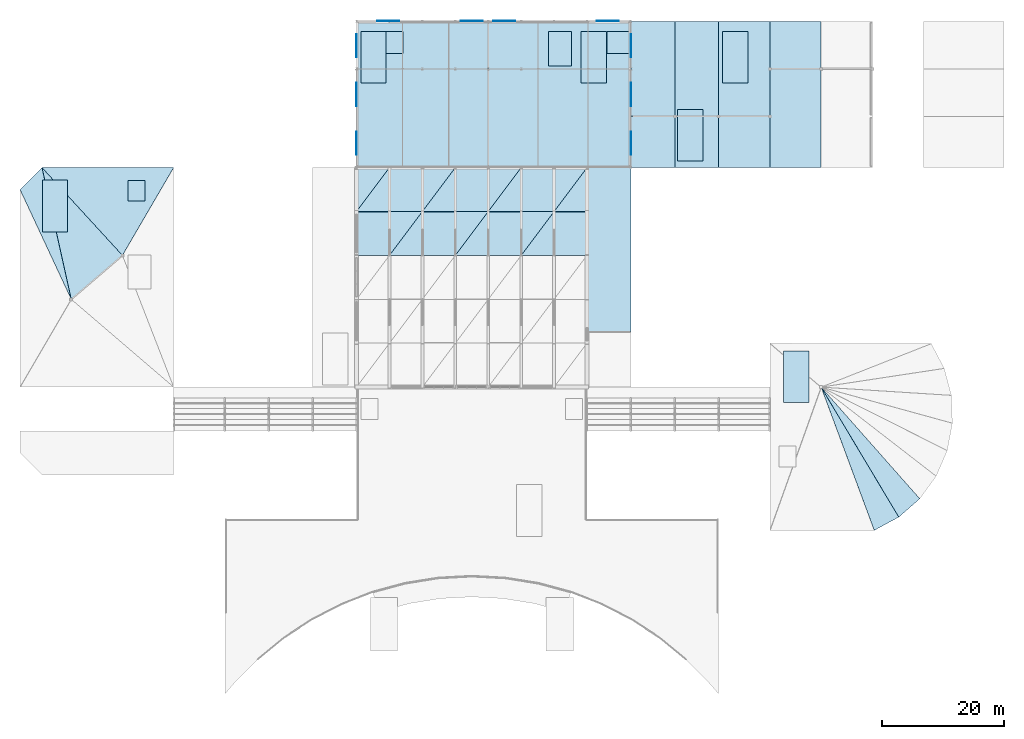
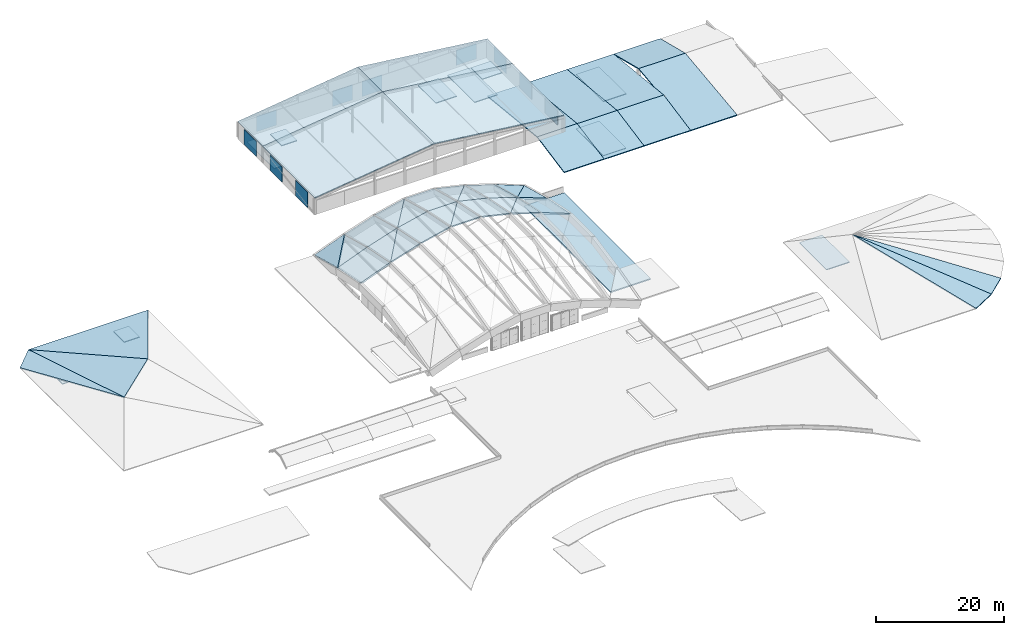
# One storey, part 10 of 27: 49 slabs, 10 plates, 4 elements without a shape of their own.
"""IFC4 building model written with IfcOpenShell, lengths in metres."""

from ifc_helpers import new_model, si_unit, direction, frame, origin, origin_2d, place, context, subcontext, project, spatial, polyline, rectangle, outline, extrude, material, layer, layer_set, type_object, element, aggregate, save


model = new_model("IFC4")

# Units and contexts
model_context = context("Model", 3, precision=1e-05, world=origin(), true_north=direction((0.0, 1.0)))
body_context = subcontext(model_context, "Body", "Model", "MODEL_VIEW")
ifc_project = project(units=[si_unit("LENGTHUNIT", "METRE"), si_unit("AREAUNIT", "SQUARE_METRE"), si_unit("VOLUMEUNIT", "CUBIC_METRE"), si_unit("PLANEANGLEUNIT", "RADIAN"), si_unit("MASSUNIT", "GRAM", prefix="KILO")], contexts=[model_context])

# Site, building, storey
site_placement = place(None, origin())
site = spatial("IfcSite", under=ifc_project, at=site_placement, CompositionType="ELEMENT")
building_placement = place(site_placement, origin())
building = spatial("IfcBuilding", under=site, at=building_placement, Name="Tazoul Stagehouse", CompositionType="ELEMENT")
storey_placement = place(building_placement, frame((0.0, 0.0, 24.89990234375)))
storey = spatial("IfcBuildingStorey", under=building, at=storey_placement, Name="RF", CompositionType="ELEMENT", Elevation=24.89990234375)

# Slab
ifc_material_1 = material(Name="Concrete C35/45", Category="concrete")
ifc_layer_1 = layer(ifc_material_1, 0.239990234375, Name="Concrete C35/45")
ifc_layer_set_1 = layer_set([ifc_layer_1], Name="Concrete C35/45")
slab_type_1 = type_object("IfcSlabType", Name="Flat Acoustic Wing Roof Slab 240", PredefinedType="ROOF", material=ifc_layer_set_1)
slab_1_placement = place(storey_placement, frame((0.0, 0.0, -11.93994140625)))
element("IfcSlab", 1, at=slab_1_placement, inside=storey, type_object=slab_type_1, Name="V1 NE Upper Circle Side Gallery Roof Slab RS-01", PredefinedType="ROOF", context=body_context, shape_type="SweptSolid", body=[
    extrude(outline(polyline([(95.39990234375, 60.800048828125), (102.60009765625, 60.800048828125), (102.60009765625, 87.800048828125), (95.39990234375, 87.800048828125), (95.39990234375, 60.800048828125)])), origin(), (0.0, 0.0, 1.0), 0.239990234375),
])

# Plates
ifc_material_2 = material(Name="Anodised Bronze Aluminium 6063-T6", Category="aluminium")
ifc_layer_2 = layer(ifc_material_2, 0.080078125, Name="Anodised Bronze Aluminium 6063-T6")
ifc_layer_set_2 = layer_set([ifc_layer_2], Name="Anodised Bronze Aluminium 6063-T6")
plate_type = type_object("IfcPlateType", Name="Fly-Tower Acoustic Metal Cladding Cassette 80", PredefinedType="USERDEFINED", material=ifc_layer_set_2)
for number, where, z_axis, x_axis, name in (
    (2, (57.580078125, 91.800048828125, -0.044921875), (0.0, 0.0, 1.0), (0.0, 1.0, 0.0), "RF Fly-Tower Metal Cladding Panel MTL-01 W1"),
    (3, (102.6201171875, 91.800048828125, -0.044921875), (0.0, 0.0, 1.0), (0.0, 1.0, 0.0), "RF Fly-Tower Metal Cladding Panel MTL-01 E1"),
    (4, (57.580078125, 99.800048828125, -0.044921875), (0.0, 0.0, 1.0), (0.0, 1.0, 0.0), "RF Fly-Tower Metal Cladding Panel MTL-01 W2"),
    (5, (102.6201171875, 99.800048828125, -0.044921875), (0.0, 0.0, 1.0), (0.0, 1.0, 0.0), "RF Fly-Tower Metal Cladding Panel MTL-01 E2"),
    (6, (57.580078125, 107.800048828125, -0.044921875), (0.0, 0.0, 1.0), (0.0, 1.0, 0.0), "RF Fly-Tower Metal Cladding Panel MTL-01 W3"),
    (7, (102.6201171875, 107.800048828125, -0.044921875), (0.0, 0.0, 1.0), (0.0, 1.0, 0.0), "RF Fly-Tower Metal Cladding Panel MTL-01 E3"),
):
    element("IfcPlate", number, at=place(storey_placement, frame(where, z_axis=z_axis, x_axis=x_axis)), inside=storey, type_object=plate_type, Name=name, ObjectType="CLADDING PANEL", PredefinedType="USERDEFINED", context=body_context, shape_type="SweptSolid", body=[
        extrude(rectangle(XDim=3.800048828125, YDim=0.080078125, at=origin_2d()), origin(), (0.0, 0.0, 1.0), 2.89990234375),
    ])
for number, where, z_axis, x_axis, name in (
    (8, (62.800048828125, 111.820068359375, -0.044921875), (0.0, 0.0, 1.0), (1.0, 0.0, 0.0), "RF Fly-Tower Metal Cladding Panel MTL-01 N1"),
    (9, (76.5, 111.820068359375, -0.044921875), (0.0, 0.0, 1.0), (1.0, 0.0, 0.0), "RF Fly-Tower Metal Cladding Panel MTL-01 N2"),
    (10, (81.800048828125, 111.820068359375, -0.044921875), (0.0, 0.0, 1.0), (1.0, 0.0, 0.0), "RF Fly-Tower Metal Cladding Panel MTL-01 N3"),
    (11, (98.800048828125, 111.820068359375, -0.044921875), (0.0, 0.0, 1.0), (1.0, 0.0, 0.0), "RF Fly-Tower Metal Cladding Panel MTL-01 N4"),
):
    element("IfcPlate", number, at=place(storey_placement, frame(where, z_axis=z_axis, x_axis=x_axis)), inside=storey, type_object=plate_type, Name=name, ObjectType="CLADDING PANEL", PredefinedType="USERDEFINED", context=body_context, shape_type="SweptSolid", body=[
        extrude(rectangle(XDim=3.60009765625, YDim=0.080078125, at=origin_2d()), origin(), (0.0, 0.0, 1.0), 2.89990234375),
    ])

# Slabs
ifc_layer_3 = layer(ifc_material_1, 0.169921875, Name="Concrete C35/45")
ifc_layer_set_3 = layer_set([ifc_layer_3], Name="Concrete C35/45")
slab_type_2 = type_object("IfcSlabType", Name="Fly-Tower Pitched Roof Deck 170", PredefinedType="ROOF", material=ifc_layer_set_3)
slab_2_placement = place(storey_placement, frame((57.60009765625, 87.800048828125, 3.10009765625), z_axis=(-0.128557090821, 0.0, 0.991702109708), x_axis=(0.991702109708, 0.0, 0.128557090821)))
element("IfcSlab", 12, at=slab_2_placement, inside=storey, type_object=slab_type_2, Name="Fly-Tower Sculpted Pitched Roof Slab RS-03 W1", PredefinedType="ROOF", context=body_context, shape_type="SweptSolid", body=[
    extrude(outline(polyline([(0.0, 0.0), (21.780586432333312, 0.0), (21.780586432333312, 16.199951171875), (0.0, 16.199951171875), (0.0, 0.0)])), origin(), (0.0, 0.0, -1.0), 0.169921875),
])
slab_3_placement = place(storey_placement, frame((57.60009765625, 104.0, 3.10009765625), z_axis=(-0.128557090821, 0.0, 0.991702109708), x_axis=(0.991702109708, 0.0, 0.128557090821)))
element("IfcSlab", 13, at=slab_3_placement, inside=storey, type_object=slab_type_2, Name="Fly-Tower Sculpted Pitched Roof Slab RS-03 W2", PredefinedType="ROOF", context=body_context, shape_type="SweptSolid", body=[
    extrude(outline(polyline([(0.0, 0.0), (21.780586432333312, 0.0), (21.780586432333312, 7.800048828125), (0.0, 7.800048828125), (0.0, 0.0)])), origin(), (0.0, 0.0, -1.0), 0.169921875),
])
slab_4_placement = place(storey_placement, frame((79.199951171875, 87.800048828125, 5.900146484375), z_axis=(0.118811883264, 0.0, 0.992916782211), x_axis=(0.992916782211, 0.0, -0.118811883264)))
element("IfcSlab", 14, at=slab_4_placement, inside=storey, type_object=slab_type_2, Name="Fly-Tower Sculpted Pitched Roof Slab RS-03 E1", PredefinedType="ROOF", context=body_context, shape_type="SweptSolid", body=[
    extrude(outline(polyline([(0.0, 0.0), (23.56707722502075, 0.0), (23.56707722502075, 16.199951171875), (0.0, 16.199951171875), (0.0, 0.0)])), origin(), (0.0, 0.0, -1.0), 0.169921875),
])
slab_5_placement = place(storey_placement, frame((79.199951171875, 104.0, 5.900146484375), z_axis=(0.118811883264, 0.0, 0.992916782211), x_axis=(0.992916782211, 0.0, -0.118811883264)))
element("IfcSlab", 15, at=slab_5_placement, inside=storey, type_object=slab_type_2, Name="Fly-Tower Sculpted Pitched Roof Slab RS-03 E2", PredefinedType="ROOF", context=body_context, shape_type="SweptSolid", body=[
    extrude(outline(polyline([(0.0, 0.0), (23.56707722502075, 0.0), (23.56707722502075, 7.800048828125), (0.0, 7.800048828125), (0.0, 0.0)])), origin(), (0.0, 0.0, -1.0), 0.169921875),
])
ifc_layer_4 = layer(ifc_material_1, 0.14990234375, Name="Concrete C35/45")
ifc_layer_set_4 = layer_set([ifc_layer_4], Name="Concrete C35/45")
slab_type_3 = type_object("IfcSlabType", Name="Lift Overrun Cap Slab 150", PredefinedType="ROOF", material=ifc_layer_set_4)
slab_6_placement = place(storey_placement, frame((0.0, 0.0, -0.14990234375)))
element("IfcSlab", 16, at=slab_6_placement, inside=storey, type_object=slab_type_3, Name="Core Stair Overrun Cap RS-05 (ST-01)", PredefinedType="ROOF", context=body_context, shape_type="SweptSolid", body=[
    extrude(outline(polyline([(94.449951171875, 101.64990234375), (98.60009765625, 101.64990234375), (98.60009765625, 110.14990234375), (94.449951171875, 110.14990234375), (94.449951171875, 101.64990234375)])), origin(), (0.0, 0.0, 1.0), 0.14990234375),
])
slab_7_placement = place(storey_placement, frame((0.0, 0.0, -0.14990234375)))
element("IfcSlab", 17, at=slab_7_placement, inside=storey, type_object=slab_type_3, Name="Lift Overrun Roof Cap RS-05 (FFL-01)", PredefinedType="ROOF", context=body_context, shape_type="SweptSolid", body=[
    extrude(outline(polyline([(98.64990234375, 106.5), (102.25, 106.5), (102.25, 110.10009765625), (98.64990234375, 110.10009765625), (98.64990234375, 106.5)])), origin(), (0.0, 0.0, 1.0), 0.14990234375),
])
slab_8_placement = place(storey_placement, frame((0.0, 0.0, -8.099853515625)))
element("IfcSlab", 18, at=slab_8_placement, inside=storey, type_object=slab_type_3, Name="Core Stair Overrun Cap RS-05 (ST-02)", PredefinedType="ROOF", context=body_context, shape_type="SweptSolid", body=[
    extrude(outline(polyline([(117.64990234375, 101.64990234375), (121.800048828125, 101.64990234375), (121.800048828125, 110.14990234375), (117.64990234375, 110.14990234375), (117.64990234375, 101.64990234375)])), origin(), (0.0, 0.0, 1.0), 0.14990234375),
])
slab_9_placement = place(storey_placement, frame((0.0, 0.0, -0.14990234375)))
element("IfcSlab", 19, at=slab_9_placement, inside=storey, type_object=slab_type_3, Name="Core Stair Overrun Cap RS-05 (ST-03)", PredefinedType="ROOF", context=body_context, shape_type="SweptSolid", body=[
    extrude(outline(polyline([(58.300048828125, 101.64990234375), (62.449951171875, 101.64990234375), (62.449951171875, 110.14990234375), (58.300048828125, 110.14990234375), (58.300048828125, 101.64990234375)])), origin(), (0.0, 0.0, 1.0), 0.14990234375),
])
slab_10_placement = place(storey_placement, frame((0.0, 0.0, -0.14990234375)))
element("IfcSlab", 20, at=slab_10_placement, inside=storey, type_object=slab_type_3, Name="Lift Overrun Roof Cap RS-05 (FFL-02)", PredefinedType="ROOF", context=body_context, shape_type="SweptSolid", body=[
    extrude(outline(polyline([(62.449951171875, 106.5), (65.25, 106.5), (65.25, 110.10009765625), (62.449951171875, 110.10009765625), (62.449951171875, 106.5)])), origin(), (0.0, 0.0, 1.0), 0.14990234375),
])
slab_11_placement = place(storey_placement, frame((0.0, 0.0, -8.099853515625)))
element("IfcSlab", 21, at=slab_11_placement, inside=storey, type_object=slab_type_3, Name="Core Stair Overrun Cap RS-05 (ST-04)", PredefinedType="ROOF", context=body_context, shape_type="SweptSolid", body=[
    extrude(outline(polyline([(110.25, 88.85009765625), (114.39990234375, 88.85009765625), (114.39990234375, 97.35009765625), (110.25, 97.35009765625), (110.25, 88.85009765625)])), origin(), (0.0, 0.0, 1.0), 0.14990234375),
])
slab_12_placement = place(storey_placement, frame((0.0, 0.0, -8.099853515625)))
element("IfcSlab", 22, at=slab_12_placement, inside=storey, type_object=slab_type_3, Name="Core Stair Overrun Cap RS-05 (ST-06)", PredefinedType="ROOF", context=body_context, shape_type="SweptSolid", body=[
    extrude(outline(polyline([(6.050048828125, 77.25), (10.199951171875, 77.25), (10.199951171875, 85.75), (6.050048828125, 85.75), (6.050048828125, 77.25)])), origin(), (0.0, 0.0, 1.0), 0.14990234375),
])
slab_13_placement = place(storey_placement, frame((0.0, 0.0, -8.099853515625)))
element("IfcSlab", 23, at=slab_13_placement, inside=storey, type_object=slab_type_3, Name="Lift Overrun Roof Cap RS-05 (PL-03)", PredefinedType="ROOF", context=body_context, shape_type="SweptSolid", body=[
    extrude(outline(polyline([(20.10009765625, 82.300048828125), (22.89990234375, 82.300048828125), (22.89990234375, 85.699951171875), (20.10009765625, 85.699951171875), (20.10009765625, 82.300048828125)])), origin(), (0.0, 0.0, 1.0), 0.14990234375),
])
slab_14_placement = place(storey_placement, frame((0.0, 0.0, -11.89990234375)))
element("IfcSlab", 24, at=slab_14_placement, inside=storey, type_object=slab_type_3, Name="Core Stair Overrun Cap RS-05 (ST-07)", PredefinedType="ROOF", context=body_context, shape_type="SweptSolid", body=[
    extrude(outline(polyline([(127.64990234375, 49.25), (131.800048828125, 49.25), (131.800048828125, 57.75), (127.64990234375, 57.75), (127.64990234375, 49.25)])), origin(), (0.0, 0.0, 1.0), 0.14990234375),
])
slab_15_placement = place(storey_placement, frame((0.0, 0.0, -0.14990234375)))
element("IfcSlab", 25, at=slab_15_placement, inside=storey, type_object=slab_type_3, Name="Lift Overrun Roof Cap RS-05 (GL-01)", PredefinedType="ROOF", context=body_context, shape_type="SweptSolid", body=[
    extrude(outline(polyline([(89.10009765625, 104.5), (92.89990234375, 104.5), (92.89990234375, 110.10009765625), (89.10009765625, 110.10009765625), (89.10009765625, 104.5)])), origin(), (0.0, 0.0, 1.0), 0.14990234375),
])

# Roof, slabs
ifc_material_3 = material(Name="Concrete C40/50", Category="concrete")
roof_type_1 = type_object("IfcRoofType", Name="Main Auditorium Barrel-Toroidal Roof", PredefinedType="BARREL_ROOF", material=ifc_material_3)
roof_1_placement = place(storey_placement, origin())
roof_1 = element("IfcRoof", 26, at=roof_1_placement, inside=storey, type_object=roof_type_1, Name="V1 Seven-Bay Doubly Curved Concrete Shell Roof", PredefinedType="BARREL_ROOF")
ifc_layer_5 = layer(ifc_material_3, 0.2900390625, Name="Concrete C40/50")
ifc_layer_set_5 = layer_set([ifc_layer_5], Name="Concrete C40/50")
slab_type_4 = type_object("IfcSlabType", Name="Shell Perimeter Thickened Band 290", PredefinedType="ROOF", material=ifc_layer_set_5)
slab_16_placement = place(storey_placement, frame((57.60009765625, 73.39990234375, -4.41259765625), z_axis=(-0.353873049028, 0.186520786007, 0.916506334708), x_axis=(0.932877386196, 0.0, 0.360194089796)))
slab_16 = element("IfcSlab", 27, at=slab_16_placement, type_object=slab_type_4, Name="Shell Roof Strip SH-02 Bay 1.4", PredefinedType="ROOF", context=body_context, shape_type="SweptSolid", body=[
    extrude(outline(polyline([(0.0, 0.0), (5.788437391294616, -5.551115123125783e-17), (5.260633454049218, 7.328808464121742), (-0.5278039372453981, 7.328808464121742), (0.0, 0.0)])), origin(), (0.0, 0.0, -1.0), 0.2900390625),
])
slab_17_placement = place(storey_placement, frame((57.60009765625, 80.60009765625, -5.8779296875), z_axis=(-0.349520702805, 0.241633127057, 0.905234063775), x_axis=(0.932877386196, 0.0, 0.360194089796)))
slab_17 = element("IfcSlab", 28, at=slab_17_placement, type_object=slab_type_4, Name="Shell Roof Diagrid Facet SH-02 Bay 1.5A", PredefinedType="ROOF", context=body_context, shape_type="SweptSolid", body=[
    extrude(outline(polyline([(0.0, 0.0), (5.788437391294616, 0.0), (5.096189374967429, 7.419817590540906), (0.0, 0.0)])), origin(), (0.0, 0.0, -1.0), 0.2900390625),
])
slab_18_placement = place(storey_placement, frame((57.60009765625, 80.60009765625, -5.8779296875), z_axis=(-0.349520702805, 0.241633127057, 0.905234063775), x_axis=(0.599897175002, 0.799871940862, 0.018117881947)))
slab_18 = element("IfcSlab", 29, at=slab_18_placement, type_object=slab_type_4, Name="Shell Roof Diagrid Facet SH-02 Bay 1.5B", PredefinedType="ROOF", context=body_context, shape_type="SweptSolid", body=[
    extrude(outline(polyline([(0.0, 0.0), (9.001379851024573, 3.3306690738754696e-16), (5.724218613592503, 4.77139619574924), (0.0, 0.0)])), origin(), (0.0, 0.0, -1.0), 0.2900390625),
])
slab_19_placement = place(storey_placement, frame((63.0, 80.60009765625, -3.79296875), z_axis=(-0.29643458644, 0.246322029177, 0.922741563984), x_axis=(0.952076539137, -4.89189e-06, 0.30585987576)))
slab_19 = element("IfcSlab", 30, at=slab_19_placement, type_object=slab_type_4, Name="Shell Roof Strip SH-02 Bay 2.5", PredefinedType="ROOF", context=body_context, shape_type="SweptSolid", body=[
    extrude(outline(polyline([(0.0, 0.0), (5.67174540278199, 0.0), (5.083811059866162, 7.428874212414266), (-0.5878596700945968, 7.428816957537575), (0.0, 0.0)])), origin(), (0.0, 0.0, -1.0), 0.2900390625),
])
slab_20_placement = place(storey_placement, frame((68.39990234375, 80.60009765625, -2.05810546875), z_axis=(-0.21979333003, 0.251622464711, 0.942537546906), x_axis=(0.973871404196, 0.0, 0.227100171927)))
slab_20 = element("IfcSlab", 31, at=slab_20_placement, type_object=slab_type_4, Name="Shell Roof Diagrid Facet SH-02 Bay 3.5A", PredefinedType="ROOF", context=body_context, shape_type="SweptSolid", body=[
    extrude(outline(polyline([(0.0, 0.0), (5.5450303408718815, 5.551115123125783e-17), (5.10851675357261, 7.439307411059465), (0.0, 0.0)])), origin(), (0.0, 0.0, -1.0), 0.2900390625),
])
slab_21_placement = place(storey_placement, frame((68.39990234375, 80.60009765625, -2.05810546875), z_axis=(-0.21979333003, 0.251622464711, 0.942537546906), x_axis=(0.598392336682, 0.797829395592, -0.073449757859)))
slab_21 = element("IfcSlab", 32, at=slab_21_placement, type_object=slab_type_4, Name="Shell Roof Diagrid Facet SH-02 Bay 3.5B", PredefinedType="ROOF", context=body_context, shape_type="SweptSolid", body=[
    extrude(outline(polyline([(0.0, 0.0), (9.024424534438545, -9.43689570931383e-16), (5.885511877203409, 4.571059922101085), (0.0, 0.0)])), origin(), (0.0, 0.0, -1.0), 0.2900390625),
])
slab_22_placement = place(storey_placement, frame((73.800048828125, 80.60009765625, -0.798828125), z_axis=(0.0, 0.257929760905, 0.966163670627), x_axis=(1.0, 0.0, 0.0)))
slab_22 = element("IfcSlab", 33, at=slab_22_placement, type_object=slab_type_4, Name="Shell Roof Strip SH-02 Bay 4.5", PredefinedType="ROOF", context=body_context, shape_type="SweptSolid", body=[
    extrude(outline(polyline([(0.0, 0.0), (5.39990234375, 0.0), (5.39990234375, 7.4521029829264425), (0.0, 7.4521029829264425), (0.0, 0.0)])), origin(), (0.0, 0.0, -1.0), 0.2900390625),
])
slab_23_placement = place(storey_placement, frame((79.199951171875, 80.60009765625, -0.798828125), z_axis=(0.21979333003, 0.251622464711, 0.942537546906), x_axis=(0.973871404196, 0.0, -0.227100171927)))
slab_23 = element("IfcSlab", 34, at=slab_23_placement, type_object=slab_type_4, Name="Shell Roof Diagrid Facet SH-02 Bay 5.5A", PredefinedType="ROOF", context=body_context, shape_type="SweptSolid", body=[
    extrude(outline(polyline([(0.0, 0.0), (5.5450303408718815, -5.551115123125783e-17), (5.981543928171152, 7.439307411059465), (0.0, 0.0)])), origin(), (0.0, 0.0, -1.0), 0.2900390625),
])
slab_24_placement = place(storey_placement, frame((79.199951171875, 80.60009765625, -0.798828125), z_axis=(0.21979333003, 0.251622464711, 0.942537546906), x_axis=(0.565709577839, 0.754253861388, -0.333277341147)))
slab_24 = element("IfcSlab", 35, at=slab_24_placement, type_object=slab_type_4, Name="Shell Roof Diagrid Facet SH-02 Bay 5.5B", PredefinedType="ROOF", context=body_context, shape_type="SweptSolid", body=[
    extrude(outline(polyline([(0.0, 0.0), (9.545792922585608, 3.7470027081099033e-16), (6.071189729749632, 4.321399557264264), (0.0, 0.0)])), origin(), (0.0, 0.0, -1.0), 0.2900390625),
])
slab_25_placement = place(storey_placement, frame((84.60009765625, 80.60009765625, -2.05810546875), z_axis=(0.29643458644, 0.246322029177, 0.922741563984), x_axis=(0.952076539137, 4.89189e-06, -0.30585987576)))
slab_25 = element("IfcSlab", 36, at=slab_25_placement, type_object=slab_type_4, Name="Shell Roof Strip SH-02 Bay 6.5", PredefinedType="ROOF", context=body_context, shape_type="SweptSolid", body=[
    extrude(outline(polyline([(0.0, 0.0), (5.67174540278199, 0.0), (6.259605072876587, 7.428816957537574), (0.5879343429158275, 7.428874212414266), (0.0, 0.0)])), origin(), (0.0, 0.0, -1.0), 0.2900390625),
])
slab_26_placement = place(storey_placement, frame((90.0, 73.39990234375, -2.32763671875), z_axis=(0.353873049028, 0.186520786007, 0.916506334708), x_axis=(0.932877386196, 0.0, -0.360194089796)))
slab_26 = element("IfcSlab", 37, at=slab_26_placement, type_object=slab_type_4, Name="Shell Roof Strip SH-02 Bay 7.4", PredefinedType="ROOF", context=body_context, shape_type="SweptSolid", body=[
    extrude(outline(polyline([(0.0, 0.0), (5.788437391294616, 5.551115123125783e-17), (6.3162413285400145, 7.328808464121742), (0.5278039372453981, 7.328808464121742), (0.0, 0.0)])), origin(), (0.0, 0.0, -1.0), 0.2900390625),
])
slab_27_placement = place(storey_placement, frame((90.0, 80.60009765625, -3.79296875), z_axis=(0.349520702805, 0.241633127057, 0.905234063775), x_axis=(0.932877386196, 0.0, -0.360194089796)))
slab_27 = element("IfcSlab", 38, at=slab_27_placement, type_object=slab_type_4, Name="Shell Roof Diagrid Facet SH-02 Bay 7.5A", PredefinedType="ROOF", context=body_context, shape_type="SweptSolid", body=[
    extrude(outline(polyline([(0.0, 0.0), (5.788437391294616, 0.0), (6.480685407621802, 7.419817590540905), (0.0, 0.0)])), origin(), (0.0, 0.0, -1.0), 0.2900390625),
])
slab_28_placement = place(storey_placement, frame((90.0, 80.60009765625, -3.79296875), z_axis=(0.349520702805, 0.241633127057, 0.905234063775), x_axis=(0.548127354577, 0.730844733422, -0.406721500285)))
slab_28 = element("IfcSlab", 39, at=slab_28_placement, type_object=slab_type_4, Name="Shell Roof Diagrid Facet SH-02 Bay 7.5B", PredefinedType="ROOF", context=body_context, shape_type="SweptSolid", body=[
    extrude(outline(polyline([(0.0, 0.0), (9.851546905408433, -4.996003610813204e-16), (6.043714278219595, 4.359635089804397), (0.0, 0.0)])), origin(), (0.0, 0.0, -1.0), 0.2900390625),
])

roof_type_2 = type_object("IfcRoofType", Name="Swept Rehearsal Vault Roof", PredefinedType="BARREL_ROOF", material=ifc_material_3)
roof_2_placement = place(storey_placement, origin())
roof_2 = element("IfcRoof", 40, at=roof_2_placement, inside=storey, type_object=roof_type_2, Name="V3 Asymmetric Swept Rehearsal Acoustic Vaults", PredefinedType="BARREL_ROOF")
ifc_layer_6 = layer(ifc_material_3, 0.18994140625, Name="Concrete C40/50")
ifc_layer_set_6 = layer_set([ifc_layer_6], Name="Concrete C40/50")
slab_type_5 = type_object("IfcSlabType", Name="Sloped Studio Acoustic Roof 190", PredefinedType="ROOF", material=ifc_layer_set_6)
slab_29_placement = place(storey_placement, frame((102.60009765625, 87.800048828125, -7.7998046875), z_axis=(0.0, -0.192736477524, 0.981250554258), x_axis=(1.0, 0.0, 0.0)))
slab_29 = element("IfcSlab", 41, at=slab_29_placement, type_object=slab_type_5, Name="V3 Swept Rehearsal Vault Facet RS-02 VA.1.1", PredefinedType="ROOF", context=body_context, shape_type="SweptSolid", body=[
    extrude(outline(polyline([(0.0, 0.0), (7.199951171875, 0.0), (7.199951171875, 8.560405196510763), (0.0, 8.560405196510763), (0.0, 0.0)])), origin(), (0.0, 0.0, -1.0), 0.18994140625),
])
slab_30_placement = place(storey_placement, frame((102.60009765625, 96.199951171875, -6.14990234375), z_axis=(0.0, 0.105175714278, 0.994453653584), x_axis=(1.0, 0.0, 0.0)))
slab_30 = element("IfcSlab", 42, at=slab_30_placement, type_object=slab_type_5, Name="V3 Swept Rehearsal Vault Facet RS-02 VA.1.2", PredefinedType="ROOF", context=body_context, shape_type="SweptSolid", body=[
    extrude(outline(polyline([(0.0, 0.0), (7.199951171875, 0.0), (7.199951171875, 15.687103768014302), (0.0, 15.687103768014302), (0.0, 0.0)])), origin(), (0.0, 0.0, -1.0), 0.18994140625),
])
slab_31_placement = place(storey_placement, frame((109.800048828125, 87.800048828125, -7.7998046875), z_axis=(0.0, -0.192736477524, 0.981250554258), x_axis=(1.0, 0.0, 0.0)))
slab_31 = element("IfcSlab", 43, at=slab_31_placement, type_object=slab_type_5, Name="V3 Swept Rehearsal Vault Facet RS-02 VA.2.1", PredefinedType="ROOF", context=body_context, shape_type="SweptSolid", body=[
    extrude(outline(polyline([(0.0, 0.0), (7.199951171875, 0.0), (7.199951171875, 8.560405196510763), (0.0, 8.560405196510763), (0.0, 0.0)])), origin(), (0.0, 0.0, -1.0), 0.18994140625),
])
slab_32_placement = place(storey_placement, frame((109.800048828125, 96.199951171875, -6.14990234375), z_axis=(0.0, 0.105175714278, 0.994453653584), x_axis=(1.0, 0.0, 0.0)))
slab_32 = element("IfcSlab", 44, at=slab_32_placement, type_object=slab_type_5, Name="V3 Swept Rehearsal Vault Facet RS-02 VA.2.2", PredefinedType="ROOF", context=body_context, shape_type="SweptSolid", body=[
    extrude(outline(polyline([(0.0, 0.0), (7.199951171875, 0.0), (7.199951171875, 15.687103768014302), (0.0, 15.687103768014302), (0.0, 0.0)])), origin(), (0.0, 0.0, -1.0), 0.18994140625),
])
slab_33_placement = place(storey_placement, frame((117.0, 87.800048828125, -7.7998046875), z_axis=(0.0, -0.192736477524, 0.981250554258), x_axis=(1.0, 0.0, 0.0)))
slab_33 = element("IfcSlab", 45, at=slab_33_placement, type_object=slab_type_5, Name="V3 Swept Rehearsal Vault Facet RS-02 VA.3.1", PredefinedType="ROOF", context=body_context, shape_type="SweptSolid", body=[
    extrude(outline(polyline([(0.0, 0.0), (8.39990234375, 0.0), (8.39990234375, 8.560405196510763), (0.0, 8.560405196510763), (0.0, 0.0)])), origin(), (0.0, 0.0, -1.0), 0.18994140625),
])
slab_34_placement = place(storey_placement, frame((117.0, 96.199951171875, -6.14990234375), z_axis=(0.0, 0.105175714278, 0.994453653584), x_axis=(1.0, 0.0, 0.0)))
slab_34 = element("IfcSlab", 46, at=slab_34_placement, type_object=slab_type_5, Name="V3 Swept Rehearsal Vault Facet RS-02 VA.3.2", PredefinedType="ROOF", context=body_context, shape_type="SweptSolid", body=[
    extrude(outline(polyline([(0.0, 0.0), (8.39990234375, 0.0), (8.39990234375, 15.687103768014302), (0.0, 15.687103768014302), (0.0, 0.0)])), origin(), (0.0, 0.0, -1.0), 0.18994140625),
])
slab_35_placement = place(storey_placement, frame((125.39990234375, 87.800048828125, -7.7998046875), z_axis=(0.0, -0.119505114072, 0.992833585104), x_axis=(1.0, 0.0, 0.0)))
slab_35 = element("IfcSlab", 47, at=slab_35_placement, type_object=slab_type_5, Name="V3 Swept Rehearsal Vault Facet RS-02 VB.1.1", PredefinedType="ROOF", context=body_context, shape_type="SweptSolid", body=[
    extrude(outline(polyline([(0.0, 0.0), (8.400146484375, 0.0), (8.400146484375, 16.316884737713593), (0.0, 16.316884737713593), (0.0, 0.0)])), origin(), (0.0, 0.0, -1.0), 0.18994140625),
])
slab_36_placement = place(storey_placement, frame((125.39990234375, 104.0, -5.849853515625), z_axis=(0.0, 0.242528480229, 0.970144286319), x_axis=(1.0, 0.0, 0.0)))
slab_36 = element("IfcSlab", 48, at=slab_36_placement, type_object=slab_type_5, Name="V3 Swept Rehearsal Vault Facet RS-02 VB.1.2", PredefinedType="ROOF", context=body_context, shape_type="SweptSolid", body=[
    extrude(outline(polyline([(0.0, 0.0), (8.400146484375, 0.0), (8.400146484375, 8.040091497851929), (0.0, 8.040091497851929), (0.0, 0.0)])), origin(), (0.0, 0.0, -1.0), 0.18994140625),
])
aggregate(roof_2, [slab_29, slab_30, slab_31, slab_32, slab_33, slab_34, slab_35, slab_36])

roof_type_3 = type_object("IfcRoofType", Name="Conical Studio Drum Parametric Roof", PredefinedType="PAVILION_ROOF", material=ifc_material_3)
roof_3_placement = place(storey_placement, origin())
roof_3 = element("IfcRoof", 49, at=roof_3_placement, inside=storey, type_object=roof_type_3, Name="V4 Radially Fanned Conical Studio Roof", PredefinedType="PAVILION_ROOF")
slab_37_placement = place(storey_placement, frame((133.800048828125, 51.800048828125, -8.75), z_axis=(0.077483702617, -0.088737826902, 0.993036693131), x_axis=(0.657598398502, -0.744101275083, -0.117803390052)))
slab_37 = element("IfcSlab", 50, at=slab_37_placement, type_object=slab_type_5, Name="V4 Conical Studio Roof Facet RS-02 F08", PredefinedType="ROOF", context=body_context, shape_type="SweptSolid", body=[
    extrude(outline(polyline([(0.0, 0.0), (24.616459190759432, -4.2500725161431774e-16), (24.58934989331596, -4.5744529435414325), (0.0, 0.0)])), origin(), (0.0, 0.0, -1.0), 0.18994140625),
])
slab_38_placement = place(storey_placement, frame((133.800048828125, 51.800048828125, -8.75), z_axis=(0.05515143706, -0.102109123281, 0.993243195765), x_axis=(0.509448840339, -0.852654014149, -0.115944000413)))
slab_38 = element("IfcSlab", 51, at=slab_38_placement, type_object=slab_type_5, Name="V4 Conical Studio Roof Facet RS-02 F09", PredefinedType="ROOF", context=body_context, shape_type="SweptSolid", body=[
    extrude(outline(polyline([(0.0, 0.0), (25.011232434820005, -3.453834440669823e-15), (24.814357670495685, -4.570517997339966), (0.0, 0.0)])), origin(), (0.0, 0.0, -1.0), 0.18994140625),
])
aggregate(roof_3, [slab_37, slab_38])

roof_type_4 = type_object("IfcRoofType", Name="Folded Black-Box Diagrid Roof", PredefinedType="FREEFORM", material=ifc_material_3)
roof_4_placement = place(storey_placement, origin())
roof_4 = element("IfcRoof", 52, at=roof_4_placement, inside=storey, type_object=roof_type_4, Name="V6 Sculpted Folded Black-Box Diagrid Roof", PredefinedType="FREEFORM")
slab_39_placement = place(storey_placement, frame((19.199951171875, 73.39990234375, -5.449951171875), z_axis=(0.0, 0.1610524027, 0.986945856461), x_axis=(0.498941679552, 0.855322378732, -0.139573739811)))
slab_39 = element("IfcSlab", 53, at=slab_39_placement, type_object=slab_type_5, Name="V6 Folded Diagrid Roof Facet RS-02 F4", PredefinedType="ROOF", context=body_context, shape_type="SweptSolid", body=[
    extrude(outline(polyline([(0.0, 0.0), (16.835928583695956, 1.1102230246251565e-16), (6.0587395805888224, 18.719412809990686), (0.0, 0.0)])), origin(), (0.0, 0.0, -1.0), 0.18994140625),
])
slab_40_placement = place(storey_placement, frame((19.199951171875, 73.39990234375, -5.449951171875), z_axis=(-0.07776709803, 0.090727841539, 0.992834697839), x_axis=(-0.670883113618, 0.731882639883, -0.119430520809)))
slab_40 = element("IfcSlab", 54, at=slab_40_placement, type_object=slab_type_5, Name="V6 Folded Diagrid Roof Facet RS-02 F5", PredefinedType="ROOF", context=body_context, shape_type="SweptSolid", body=[
    extrude(outline(polyline([(0.0, 0.0), (19.675485794669395, -9.54097911787244e-16), (0.3658333677647265, 11.057297237975966), (0.0, 0.0)])), origin(), (0.0, 0.0, -1.0), 0.18994140625),
])
slab_41_placement = place(storey_placement, frame((10.800048828125, 66.199951171875, -5.449951171875), z_axis=(-0.088312194737, 0.088312194737, 0.992170304193), x_axis=(-0.215718588574, 0.97072816263, -0.105604568182)))
slab_41 = element("IfcSlab", 55, at=slab_41_placement, type_object=slab_type_5, Name="V6 Folded Diagrid Roof Facet RS-02 F6", PredefinedType="ROOF", context=body_context, shape_type="SweptSolid", body=[
    extrude(outline(polyline([(0.0, 0.0), (22.251438134574947, 5.551115123125783e-16), (19.53332993656864, 4.305031253429456), (0.0, 0.0)])), origin(), (0.0, 0.0, -1.0), 0.18994140625),
])
aggregate(roof_4, [slab_39, slab_40, slab_41])

# Slab
ifc_layer_7 = layer(ifc_material_3, 0.199951171875, Name="Concrete C40/50")
ifc_layer_set_7 = layer_set([ifc_layer_7], Name="Concrete C40/50")
slab_type_6 = type_object("IfcSlabType", Name="Toroidal Concrete Shell Roof 200", PredefinedType="ROOF", material=ifc_layer_set_7)
slab_42_placement = place(storey_placement, frame((63.0, 73.39990234375, -2.32763671875), z_axis=(-0.300293272836, 0.190220806944, 0.934687110693), x_axis=(0.952070651838, 0.0, 0.305878201101)))
slab_42 = element("IfcSlab", 56, at=slab_42_placement, type_object=slab_type_6, Name="Shell Roof Diagrid Facet SH-01 Bay 2.4A", PredefinedType="ROOF", context=body_context, shape_type="SweptSolid", body=[
    extrude(outline(polyline([(0.0, 0.0), (5.671745403900484, 0.0), (5.2235322781655285, 7.334106318691673), (0.0, 0.0)])), origin(), (0.0, 0.0, -1.0), 0.199951171875),
])

slab_43_placement = place(storey_placement, frame((63.0, 73.39990234375, -2.32763671875), z_axis=(-0.300293272836, 0.190220806944, 0.934687110693), x_axis=(0.599713770086, 0.799654512495, 0.029934171362)))
slab_43 = element("IfcSlab", 57, at=slab_43_placement, type_object=slab_type_6, Name="Shell Roof Diagrid Facet SH-01 Bay 2.4B", PredefinedType="ROOF", context=body_context, shape_type="SweptSolid", body=[
    extrude(outline(polyline([(0.0, 0.0), (9.004132659779634, 6.38378239159465e-16), (5.7138051723638466, 4.619787976977122), (0.0, 0.0)])), origin(), (0.0, 0.0, -1.0), 0.199951171875),
])

slab_44_placement = place(storey_placement, frame((68.39990234375, 73.39990234375, -0.5927734375), z_axis=(-0.222767016979, 0.19441367331, 0.955289579016), x_axis=(0.973871404196, 0.0, 0.227100171927)))
slab_44 = element("IfcSlab", 58, at=slab_44_placement, type_object=slab_type_6, Name="Shell Roof Strip SH-01 Bay 3.4", PredefinedType="ROOF", context=body_context, shape_type="SweptSolid", body=[
    extrude(outline(polyline([(0.0, 0.0), (5.5450303408718815, 2.7755575615628914e-17), (5.21225318464551, 7.340249986495563), (-0.33277715622637155, 7.340249986495563), (0.0, 0.0)])), origin(), (0.0, 0.0, -1.0), 0.199951171875),
])

slab_45_placement = place(storey_placement, frame((73.800048828125, 73.39990234375, 0.66650390625), z_axis=(0.0, 0.199424878971, 0.979913117397), x_axis=(1.0, 0.0, 0.0)))
slab_45 = element("IfcSlab", 59, at=slab_45_placement, type_object=slab_type_6, Name="Shell Roof Diagrid Facet SH-01 Bay 4.4A", PredefinedType="ROOF", context=body_context, shape_type="SweptSolid", body=[
    extrude(outline(polyline([(0.0, 0.0), (5.39990234375, 0.0), (5.39990234375, 7.3477894975260565), (0.0, 0.0)])), origin(), (0.0, 0.0, -1.0), 0.199951171875),
])

slab_46_placement = place(storey_placement, frame((73.800048828125, 73.39990234375, 0.66650390625), z_axis=(0.0, 0.199424878971, 0.979913117397), x_axis=(0.592185140901, 0.789615886402, -0.160696953417)))
slab_46 = element("IfcSlab", 60, at=slab_46_placement, type_object=slab_type_6, Name="Shell Roof Diagrid Facet SH-01 Bay 4.4B", PredefinedType="ROOF", context=body_context, shape_type="SweptSolid", body=[
    extrude(outline(polyline([(0.0, 0.0), (9.118604927399309, -5.551115123125783e-17), (5.920862997115564, 4.3512517589013315), (0.0, 0.0)])), origin(), (0.0, 0.0, -1.0), 0.199951171875),
])

slab_47_placement = place(storey_placement, frame((79.199951171875, 73.39990234375, 0.66650390625), z_axis=(0.222767016979, 0.19441367331, 0.955289579016), x_axis=(0.973871404196, 0.0, -0.227100171927)))
slab_47 = element("IfcSlab", 61, at=slab_47_placement, type_object=slab_type_6, Name="Shell Roof Strip SH-01 Bay 5.4", PredefinedType="ROOF", context=body_context, shape_type="SweptSolid", body=[
    extrude(outline(polyline([(0.0, 0.0), (5.5450303408718815, -2.7755575615628914e-17), (5.877807497098253, 7.340249986495562), (0.33277715622637155, 7.340249986495563), (0.0, 0.0)])), origin(), (0.0, 0.0, -1.0), 0.199951171875),
])

slab_48_placement = place(storey_placement, frame((84.60009765625, 73.39990234375, -0.5927734375), z_axis=(0.300293272836, 0.190220806944, 0.934687110693), x_axis=(0.952070651838, 0.0, -0.305878201101)))
slab_48 = element("IfcSlab", 62, at=slab_48_placement, type_object=slab_type_6, Name="Shell Roof Diagrid Facet SH-01 Bay 6.4A", PredefinedType="ROOF", context=body_context, shape_type="SweptSolid", body=[
    extrude(outline(polyline([(0.0, 0.0), (5.671745403900484, 0.0), (6.119958529635439, 7.334106318691673), (0.0, 0.0)])), origin(), (0.0, 0.0, -1.0), 0.199951171875),
])

slab_49_placement = place(storey_placement, frame((84.60009765625, 73.39990234375, -0.5927734375), z_axis=(0.300293272836, 0.190220806944, 0.934687110693), x_axis=(0.565309272318, 0.753779774809, -0.33502459271)))
slab_49 = element("IfcSlab", 63, at=slab_49_placement, type_object=slab_type_6, Name="Shell Roof Diagrid Facet SH-01 Bay 6.4B", PredefinedType="ROOF", context=body_context, shape_type="SweptSolid", body=[
    extrude(outline(polyline([(0.0, 0.0), (9.552120596931903, 0.0), (5.918283868188096, 4.354759069741835), (0.0, 0.0)])), origin(), (0.0, 0.0, -1.0), 0.199951171875),
])

aggregate(roof_1, [slab_16, slab_17, slab_18, slab_42, slab_43, slab_19, slab_44, slab_20, slab_21, slab_45, slab_46, slab_22, slab_47, slab_23, slab_24, slab_48, slab_49, slab_25, slab_26, slab_27, slab_28])

save(model, "model.ifc")
